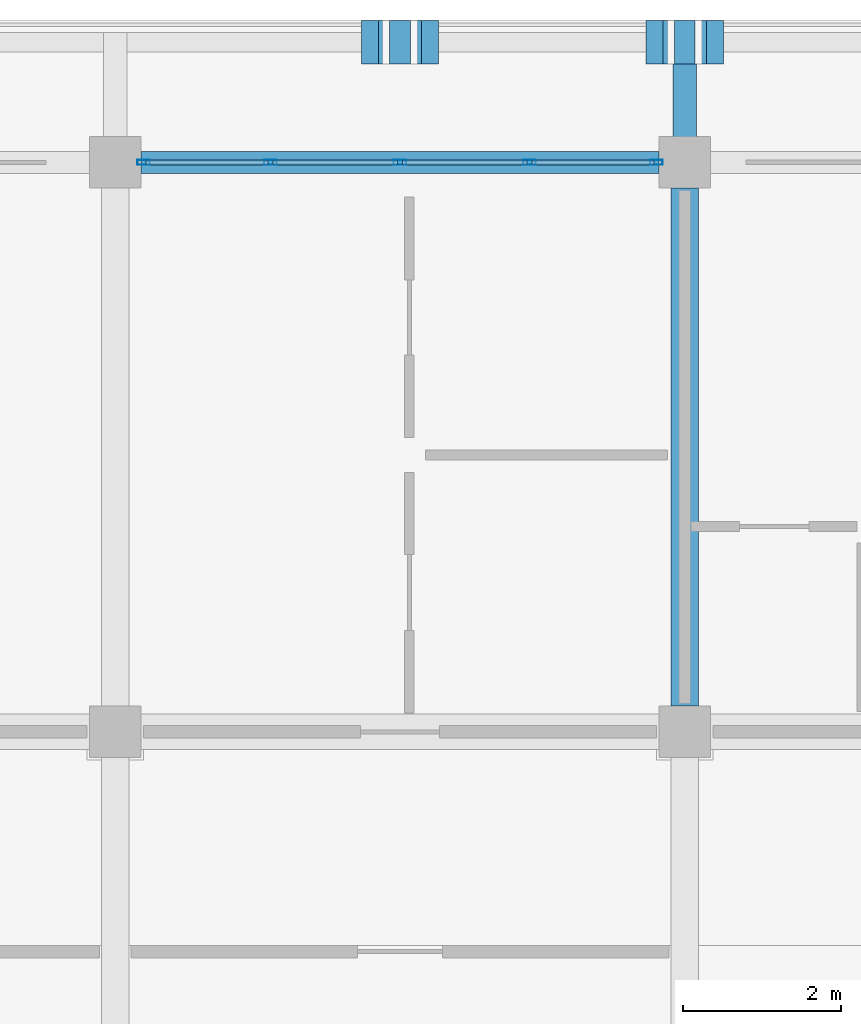
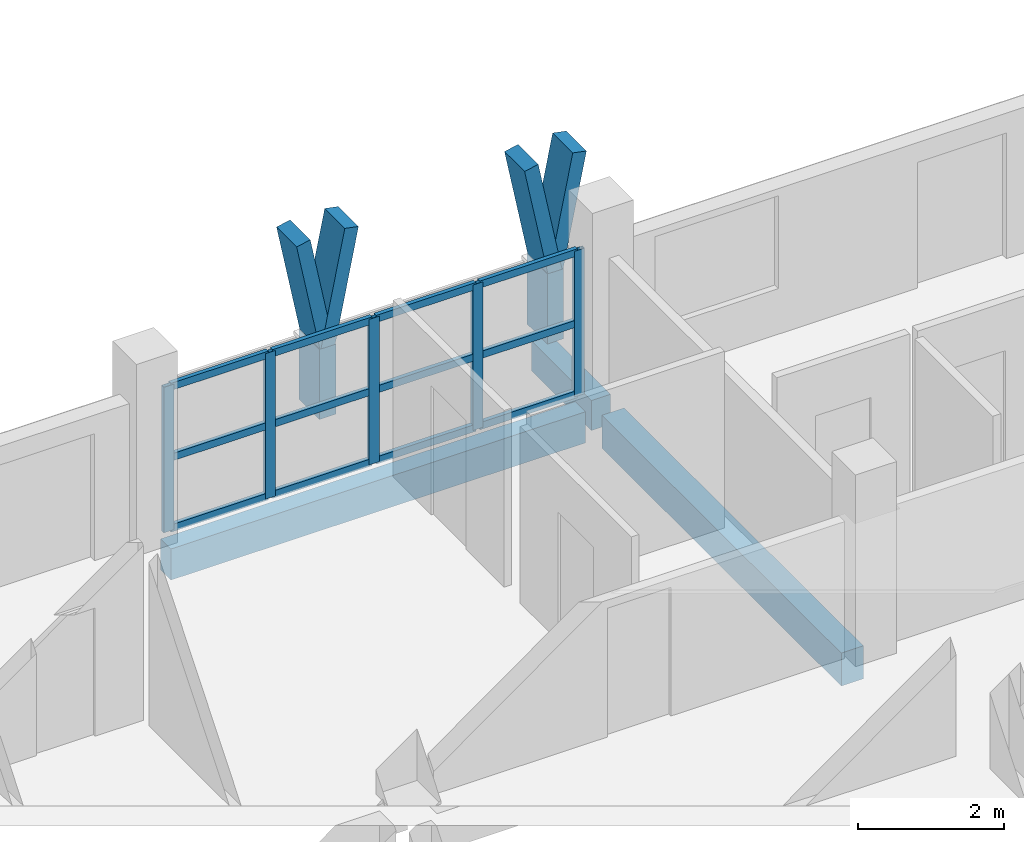
# One storey, part 14 of 78: 23 members, 3 beams, 1 element without a shape of its own.
"""IFC4 building model written with IfcOpenShell, lengths in metres."""

from ifc_helpers import new_model, si_unit, direction, frame, origin, origin_2d, place, context, subcontext, project, spatial, rectangle, hollow_rectangle, extrude, material, material_profile, profile_set, type_object, element, aggregate, save


model = new_model("IFC4")

# Units and contexts
model_context = context("Model", 3, precision=1e-05, world=origin(), true_north=direction((0.0, 1.0)))
body_context = subcontext(model_context, "Body", "Model", "MODEL_VIEW")
ifc_project = project(units=[si_unit("LENGTHUNIT", "METRE"), si_unit("AREAUNIT", "SQUARE_METRE"), si_unit("VOLUMEUNIT", "CUBIC_METRE"), si_unit("PLANEANGLEUNIT", "RADIAN"), si_unit("MASSUNIT", "GRAM", prefix="KILO")], contexts=[model_context])

# Site, building, storey
site_placement = place(None, origin())
site = spatial("IfcSite", under=ifc_project, at=site_placement, CompositionType="ELEMENT")
building_placement = place(site_placement, origin())
building = spatial("IfcBuilding", under=site, at=building_placement, Name="Suanplinth Sawtooth Commons", CompositionType="ELEMENT")
storey_placement = place(building_placement, frame((0.0, 0.0, 15.39990234375)))
storey = spatial("IfcBuildingStorey", under=building, at=storey_placement, Name="L04", CompositionType="ELEMENT", Elevation=15.39990234375)

# Beams
ifc_material_1 = material(Name="Precast concrete C40/50", Category="concrete")
ifc_material_profile_1 = material_profile(ifc_material_1, rectangle(XDim=0.35009765625, YDim=0.550048828125, at=origin_2d()), Name="PC-BM 350x550")
ifc_profile_set_1 = profile_set([ifc_material_profile_1], Name="Precast concrete C40/50")
beam_type_1 = type_object("IfcBeamType", Name="B-06", PredefinedType="BEAM", material=ifc_profile_set_1)
beam_1_placement = place(storey_placement, frame((43.199951171875, 115.52490234375, -0.494873046875), z_axis=(0.0, 1.0, 0.0), x_axis=(-1.0, 0.0, 0.0)))
element("IfcBeam", 1, at=beam_1_placement, inside=storey, type_object=beam_type_1, Name="BMY-L04-A-6-16", PredefinedType="BEAM", context=body_context, shape_type="SweptSolid", body=[
    extrude(rectangle(XDim=0.35009765625, YDim=0.550048828125, at=origin_2d()), origin(), (0.0, 0.0, 1.0), 6.550048828125),
])
ifc_material_profile_2 = material_profile(ifc_material_1, rectangle(XDim=0.300048828125, YDim=0.5, at=origin_2d()), Name="PC-BM 300x500")
ifc_profile_set_2 = profile_set([ifc_material_profile_2], Name="Precast concrete C40/50")
beam_type_2 = type_object("IfcBeamType", Name="B-07", PredefinedType="BEAM", material=ifc_profile_set_2)
beam_2_placement = place(storey_placement, frame((43.199951171875, 122.39990234375, -0.429931640625), z_axis=(0.0, 1.0, 0.0), x_axis=(-1.0, 0.0, 0.0)))
element("IfcBeam", 2, at=beam_2_placement, inside=storey, type_object=beam_type_2, Name="Balcony Outrigger L04-A-N-6", PredefinedType="BEAM", context=body_context, shape_type="SweptSolid", body=[
    extrude(rectangle(XDim=0.300048828125, YDim=0.5, at=origin_2d()), origin(), (0.0, 0.0, 1.0), 1.64013671875),
])
ifc_material_profile_3 = material_profile(ifc_material_1, rectangle(XDim=0.280029296875, YDim=0.52001953125, at=origin_2d()), Name="PC-SP 280x520")
ifc_profile_set_3 = profile_set([ifc_material_profile_3], Name="Precast concrete C40/50")
beam_type_3 = type_object("IfcBeamType", Name="B-08", PredefinedType="SPANDREL", material=ifc_profile_set_3)
beam_3_placement = place(storey_placement, frame((36.324951171875, 122.39990234375, -0.47998046875), z_axis=(1.0, 0.0, 0.0), x_axis=(0.0, 1.0, 0.0)))
element("IfcBeam", 3, at=beam_3_placement, inside=storey, type_object=beam_type_3, Name="BMX-L04-A-5-17", PredefinedType="SPANDREL", context=body_context, shape_type="SweptSolid", body=[
    extrude(rectangle(XDim=0.280029296875, YDim=0.52001953125, at=origin_2d()), origin(), (0.0, 0.0, 1.0), 6.550048828125),
])

# Members
ifc_material_2 = material(Name="Pigmented precast concrete C40/50", Category="concrete")
ifc_material_profile_4 = material_profile(ifc_material_2, rectangle(XDim=0.260009765625, YDim=0.550048828125, at=origin_2d()), Name="PC-FIN 260x550")
ifc_profile_set_4 = profile_set([ifc_material_profile_4], Name="Pigmented precast concrete C40/50")
member_type_1 = type_object("IfcMemberType", Name="M-09", PredefinedType="USERDEFINED", material=ifc_profile_set_4)
for number, where, z_axis, x_axis, name in (
    (4, (39.60009765625, 123.919921875, 0.0), (0.0, 0.0, 1.0), (1.0, 0.0, 0.0), "Y-Blade Stem L04-A-N-03"),
    (5, (43.199951171875, 123.919921875, 0.0), (0.0, 0.0, 1.0), (1.0, 0.0, 0.0), "Y-Blade Stem L04-A-N-04"),
):
    element("IfcMember", number, at=place(storey_placement, frame(where, z_axis=z_axis, x_axis=x_axis)), inside=storey, type_object=member_type_1, Name=name, ObjectType="SHADING FIN", PredefinedType="USERDEFINED", context=body_context, shape_type="SweptSolid", body=[
        extrude(rectangle(XDim=0.260009765625, YDim=0.550048828125, at=origin_2d()), origin(), (0.0, 0.0, 1.0), 1.170166015625),
    ])
ifc_material_profile_5 = material_profile(ifc_material_2, rectangle(XDim=0.219970703125, YDim=0.550048828125, at=origin_2d()), Name="PC-FIN 220x550")
ifc_profile_set_5 = profile_set([ifc_material_profile_5], Name="Pigmented precast concrete C40/50")
member_type_2 = type_object("IfcMemberType", Name="M-10", PredefinedType="USERDEFINED", material=ifc_profile_set_5)
member_1_placement = place(storey_placement, frame((39.60009765625, 123.919921875, 1.130126953125), z_axis=(-0.196431120402, 0.0, 0.980517626021), x_axis=(0.980517626021, 0.0, 0.196431120402)))
element("IfcMember", 6, at=member_1_placement, inside=storey, type_object=member_type_2, Name="Y-Blade Arm L L04-A-N-03", ObjectType="SHADING FIN", PredefinedType="USERDEFINED", context=body_context, shape_type="SweptSolid", body=[
    extrude(rectangle(XDim=0.219970703125, YDim=0.550048828125, at=origin_2d()), origin(), (0.0, 0.0, 1.0), 1.937744140625),
])
for number, where, z_axis, x_axis, name in (
    (7, (39.60009765625, 123.919921875, 1.130126953125), (0.196309979414, 0.0, 0.980541886909), (-0.980541886909, 0.0, 0.196309979414), "Y-Blade Arm R L04-A-N-03"),
    (8, (43.199951171875, 123.919921875, 1.130126953125), (-0.196309979414, 0.0, 0.980541886909), (0.980541886909, 0.0, 0.196309979414), "Y-Blade Arm L L04-A-N-04"),
):
    element("IfcMember", number, at=place(storey_placement, frame(where, z_axis=z_axis, x_axis=x_axis)), inside=storey, type_object=member_type_2, Name=name, ObjectType="SHADING FIN", PredefinedType="USERDEFINED", context=body_context, shape_type="SweptSolid", body=[
        extrude(rectangle(XDim=0.219970703125, YDim=0.550048828125, at=origin_2d()), origin(), (0.0, 0.0, 1.0), 1.9375),
    ])
member_2_placement = place(storey_placement, frame((43.199951171875, 123.919921875, 1.130126953125), z_axis=(0.196431120402, 0.0, 0.980517626021), x_axis=(-0.980517626021, 0.0, 0.196431120402)))
element("IfcMember", 9, at=member_2_placement, inside=storey, type_object=member_type_2, Name="Y-Blade Arm R L04-A-N-04", ObjectType="SHADING FIN", PredefinedType="USERDEFINED", context=body_context, shape_type="SweptSolid", body=[
    extrude(rectangle(XDim=0.219970703125, YDim=0.550048828125, at=origin_2d()), origin(), (0.0, 0.0, 1.0), 1.937744140625),
])

# Curtain wall, members
ifc_material_3 = material(Name="Anodized aluminium and low-E glazing", Category="aluminium")
curtain_wall_type = type_object("IfcCurtainWallType", Name="CW-06", PredefinedType="USERDEFINED", material=ifc_material_3)
curtain_wall_placement = place(storey_placement, origin())
curtain_wall = element("IfcCurtainWall", 10, at=curtain_wall_placement, inside=storey, type_object=curtain_wall_type, Name="Curtain Wall CW-L04-A-LOUNGE-5", ObjectType="CURTAIN WALL", PredefinedType="USERDEFINED")
ifc_material_4 = material(Name="Anodized aluminium 6063-T6", Category="aluminium")
ifc_material_profile_6 = material_profile(ifc_material_4, hollow_rectangle(XDim=0.06494140625, YDim=0.159912109375, WallThickness=0.00390625, at=origin_2d()), Name="ALU-MUL 65x160")
ifc_profile_set_6 = profile_set([ifc_material_profile_6], Name="Anodized aluminium 6063-T6")
member_type_3 = type_object("IfcMemberType", Name="M-13", PredefinedType="MULLION", material=ifc_profile_set_6)
member_3_placement = place(storey_placement, frame((36.357421875, 122.39990234375, 0.0), z_axis=(0.0, 0.0, 1.0), x_axis=(0.0, 1.0, 0.0)))
member_3 = element("IfcMember", 11, at=member_3_placement, type_object=member_type_3, Name="CW-06 mullion 1", PredefinedType="MULLION", context=body_context, shape_type="SweptSolid", body=[
    extrude(hollow_rectangle(XDim=0.06494140625, YDim=0.159912109375, WallThickness=0.00390625, at=origin_2d()), origin(), (0.0, 0.0, 1.0), 2.43017578125),
])
member_4_placement = place(storey_placement, frame((37.96240234375, 122.39990234375, 0.0), z_axis=(0.0, 0.0, 1.0), x_axis=(0.0, 1.0, 0.0)))
member_4 = element("IfcMember", 12, at=member_4_placement, type_object=member_type_3, Name="CW-06 mullion 2", PredefinedType="MULLION", context=body_context, shape_type="SweptSolid", body=[
    extrude(hollow_rectangle(XDim=0.06494140625, YDim=0.159912109375, WallThickness=0.00390625, at=origin_2d()), origin(), (0.0, 0.0, 1.0), 2.43017578125),
])
member_5_placement = place(storey_placement, frame((39.60009765625, 122.39990234375, 0.0), z_axis=(0.0, 0.0, 1.0), x_axis=(0.0, 1.0, 0.0)))
member_5 = element("IfcMember", 13, at=member_5_placement, type_object=member_type_3, Name="CW-06 mullion 3", PredefinedType="MULLION", context=body_context, shape_type="SweptSolid", body=[
    extrude(hollow_rectangle(XDim=0.06494140625, YDim=0.159912109375, WallThickness=0.00390625, at=origin_2d()), origin(), (0.0, 0.0, 1.0), 2.43017578125),
])
member_6_placement = place(storey_placement, frame((41.237548828125, 122.39990234375, 0.0), z_axis=(0.0, 0.0, 1.0), x_axis=(0.0, 1.0, 0.0)))
member_6 = element("IfcMember", 14, at=member_6_placement, type_object=member_type_3, Name="CW-06 mullion 4", PredefinedType="MULLION", context=body_context, shape_type="SweptSolid", body=[
    extrude(hollow_rectangle(XDim=0.06494140625, YDim=0.159912109375, WallThickness=0.00390625, at=origin_2d()), origin(), (0.0, 0.0, 1.0), 2.43017578125),
])
member_7_placement = place(storey_placement, frame((42.842529296875, 122.39990234375, 0.0), z_axis=(0.0, 0.0, 1.0), x_axis=(0.0, 1.0, 0.0)))
member_7 = element("IfcMember", 15, at=member_7_placement, type_object=member_type_3, Name="CW-06 mullion 5", PredefinedType="MULLION", context=body_context, shape_type="SweptSolid", body=[
    extrude(hollow_rectangle(XDim=0.06494140625, YDim=0.159912109375, WallThickness=0.00390625, at=origin_2d()), origin(), (0.0, 0.0, 1.0), 2.43017578125),
])
ifc_material_profile_7 = material_profile(ifc_material_4, hollow_rectangle(XDim=0.06494140625, YDim=0.1201171875, WallThickness=0.00390625, at=origin_2d()), Name="ALU-TRN 65x120")
ifc_profile_set_7 = profile_set([ifc_material_profile_7], Name="Anodized aluminium 6063-T6")
member_type_4 = type_object("IfcMemberType", Name="M-15", PredefinedType="USERDEFINED", material=ifc_profile_set_7)
member_8_placement = place(storey_placement, frame((36.389892578125, 122.39990234375, 0.03271484375), z_axis=(1.0, 0.0, 0.0), x_axis=(0.0, 1.0, 0.0)))
member_8 = element("IfcMember", 16, at=member_8_placement, type_object=member_type_4, Name="CW-06 transom 1.1", ObjectType="TRANSOM", PredefinedType="USERDEFINED", context=body_context, shape_type="SweptSolid", body=[
    extrude(hollow_rectangle(XDim=0.06494140625, YDim=0.1201171875, WallThickness=0.00390625, at=origin_2d()), origin(), (0.0, 0.0, 1.0), 1.5400390625),
])
member_9_placement = place(storey_placement, frame((36.389892578125, 122.39990234375, 1.215087890625), z_axis=(1.0, 0.0, 0.0), x_axis=(0.0, 1.0, 0.0)))
member_9 = element("IfcMember", 17, at=member_9_placement, type_object=member_type_4, Name="CW-06 transom 1.2", ObjectType="TRANSOM", PredefinedType="USERDEFINED", context=body_context, shape_type="SweptSolid", body=[
    extrude(hollow_rectangle(XDim=0.06494140625, YDim=0.1201171875, WallThickness=0.00390625, at=origin_2d()), origin(), (0.0, 0.0, 1.0), 1.5400390625),
])
member_10_placement = place(storey_placement, frame((36.389892578125, 122.39990234375, 2.397705078125), z_axis=(1.0, 0.0, 0.0), x_axis=(0.0, 1.0, 0.0)))
member_10 = element("IfcMember", 18, at=member_10_placement, type_object=member_type_4, Name="CW-06 transom 1.3", ObjectType="TRANSOM", PredefinedType="USERDEFINED", context=body_context, shape_type="SweptSolid", body=[
    extrude(hollow_rectangle(XDim=0.06494140625, YDim=0.1201171875, WallThickness=0.00390625, at=origin_2d()), origin(), (0.0, 0.0, 1.0), 1.5400390625),
])
member_11_placement = place(storey_placement, frame((37.9951171875, 122.39990234375, 0.03271484375), z_axis=(1.0, 0.0, 0.0), x_axis=(0.0, 1.0, 0.0)))
member_11 = element("IfcMember", 19, at=member_11_placement, type_object=member_type_4, Name="CW-06 transom 2.1", ObjectType="TRANSOM", PredefinedType="USERDEFINED", context=body_context, shape_type="SweptSolid", body=[
    extrude(hollow_rectangle(XDim=0.06494140625, YDim=0.1201171875, WallThickness=0.00390625, at=origin_2d()), origin(), (0.0, 0.0, 1.0), 1.572265625),
])
member_12_placement = place(storey_placement, frame((37.9951171875, 122.39990234375, 1.215087890625), z_axis=(1.0, 0.0, 0.0), x_axis=(0.0, 1.0, 0.0)))
member_12 = element("IfcMember", 20, at=member_12_placement, type_object=member_type_4, Name="CW-06 transom 2.2", ObjectType="TRANSOM", PredefinedType="USERDEFINED", context=body_context, shape_type="SweptSolid", body=[
    extrude(hollow_rectangle(XDim=0.06494140625, YDim=0.1201171875, WallThickness=0.00390625, at=origin_2d()), origin(), (0.0, 0.0, 1.0), 1.572265625),
])
member_13_placement = place(storey_placement, frame((37.9951171875, 122.39990234375, 2.397705078125), z_axis=(1.0, 0.0, 0.0), x_axis=(0.0, 1.0, 0.0)))
member_13 = element("IfcMember", 21, at=member_13_placement, type_object=member_type_4, Name="CW-06 transom 2.3", ObjectType="TRANSOM", PredefinedType="USERDEFINED", context=body_context, shape_type="SweptSolid", body=[
    extrude(hollow_rectangle(XDim=0.06494140625, YDim=0.1201171875, WallThickness=0.00390625, at=origin_2d()), origin(), (0.0, 0.0, 1.0), 1.572265625),
])
member_14_placement = place(storey_placement, frame((39.632568359375, 122.39990234375, 0.03271484375), z_axis=(1.0, 0.0, 0.0), x_axis=(0.0, 1.0, 0.0)))
member_14 = element("IfcMember", 22, at=member_14_placement, type_object=member_type_4, Name="CW-06 transom 3.1", ObjectType="TRANSOM", PredefinedType="USERDEFINED", context=body_context, shape_type="SweptSolid", body=[
    extrude(hollow_rectangle(XDim=0.06494140625, YDim=0.1201171875, WallThickness=0.00390625, at=origin_2d()), origin(), (0.0, 0.0, 1.0), 1.572509765625),
])
member_15_placement = place(storey_placement, frame((39.632568359375, 122.39990234375, 1.215087890625), z_axis=(1.0, 0.0, 0.0), x_axis=(0.0, 1.0, 0.0)))
member_15 = element("IfcMember", 23, at=member_15_placement, type_object=member_type_4, Name="CW-06 transom 3.2", ObjectType="TRANSOM", PredefinedType="USERDEFINED", context=body_context, shape_type="SweptSolid", body=[
    extrude(hollow_rectangle(XDim=0.06494140625, YDim=0.1201171875, WallThickness=0.00390625, at=origin_2d()), origin(), (0.0, 0.0, 1.0), 1.572509765625),
])
member_16_placement = place(storey_placement, frame((39.632568359375, 122.39990234375, 2.397705078125), z_axis=(1.0, 0.0, 0.0), x_axis=(0.0, 1.0, 0.0)))
member_16 = element("IfcMember", 24, at=member_16_placement, type_object=member_type_4, Name="CW-06 transom 3.3", ObjectType="TRANSOM", PredefinedType="USERDEFINED", context=body_context, shape_type="SweptSolid", body=[
    extrude(hollow_rectangle(XDim=0.06494140625, YDim=0.1201171875, WallThickness=0.00390625, at=origin_2d()), origin(), (0.0, 0.0, 1.0), 1.572509765625),
])
member_17_placement = place(storey_placement, frame((41.27001953125, 122.39990234375, 0.03271484375), z_axis=(1.0, 0.0, 0.0), x_axis=(0.0, 1.0, 0.0)))
member_17 = element("IfcMember", 25, at=member_17_placement, type_object=member_type_4, Name="CW-06 transom 4.1", ObjectType="TRANSOM", PredefinedType="USERDEFINED", context=body_context, shape_type="SweptSolid", body=[
    extrude(hollow_rectangle(XDim=0.06494140625, YDim=0.1201171875, WallThickness=0.00390625, at=origin_2d()), origin(), (0.0, 0.0, 1.0), 1.5400390625),
])
member_18_placement = place(storey_placement, frame((41.27001953125, 122.39990234375, 1.215087890625), z_axis=(1.0, 0.0, 0.0), x_axis=(0.0, 1.0, 0.0)))
member_18 = element("IfcMember", 26, at=member_18_placement, type_object=member_type_4, Name="CW-06 transom 4.2", ObjectType="TRANSOM", PredefinedType="USERDEFINED", context=body_context, shape_type="SweptSolid", body=[
    extrude(hollow_rectangle(XDim=0.06494140625, YDim=0.1201171875, WallThickness=0.00390625, at=origin_2d()), origin(), (0.0, 0.0, 1.0), 1.5400390625),
])
member_19_placement = place(storey_placement, frame((41.27001953125, 122.39990234375, 2.397705078125), z_axis=(1.0, 0.0, 0.0), x_axis=(0.0, 1.0, 0.0)))
member_19 = element("IfcMember", 27, at=member_19_placement, type_object=member_type_4, Name="CW-06 transom 4.3", ObjectType="TRANSOM", PredefinedType="USERDEFINED", context=body_context, shape_type="SweptSolid", body=[
    extrude(hollow_rectangle(XDim=0.06494140625, YDim=0.1201171875, WallThickness=0.00390625, at=origin_2d()), origin(), (0.0, 0.0, 1.0), 1.5400390625),
])
aggregate(curtain_wall, [member_3, member_4, member_5, member_6, member_7, member_8, member_9, member_10, member_11, member_12, member_13, member_14, member_15, member_16, member_17, member_18, member_19])

save(model, "model.ifc")
